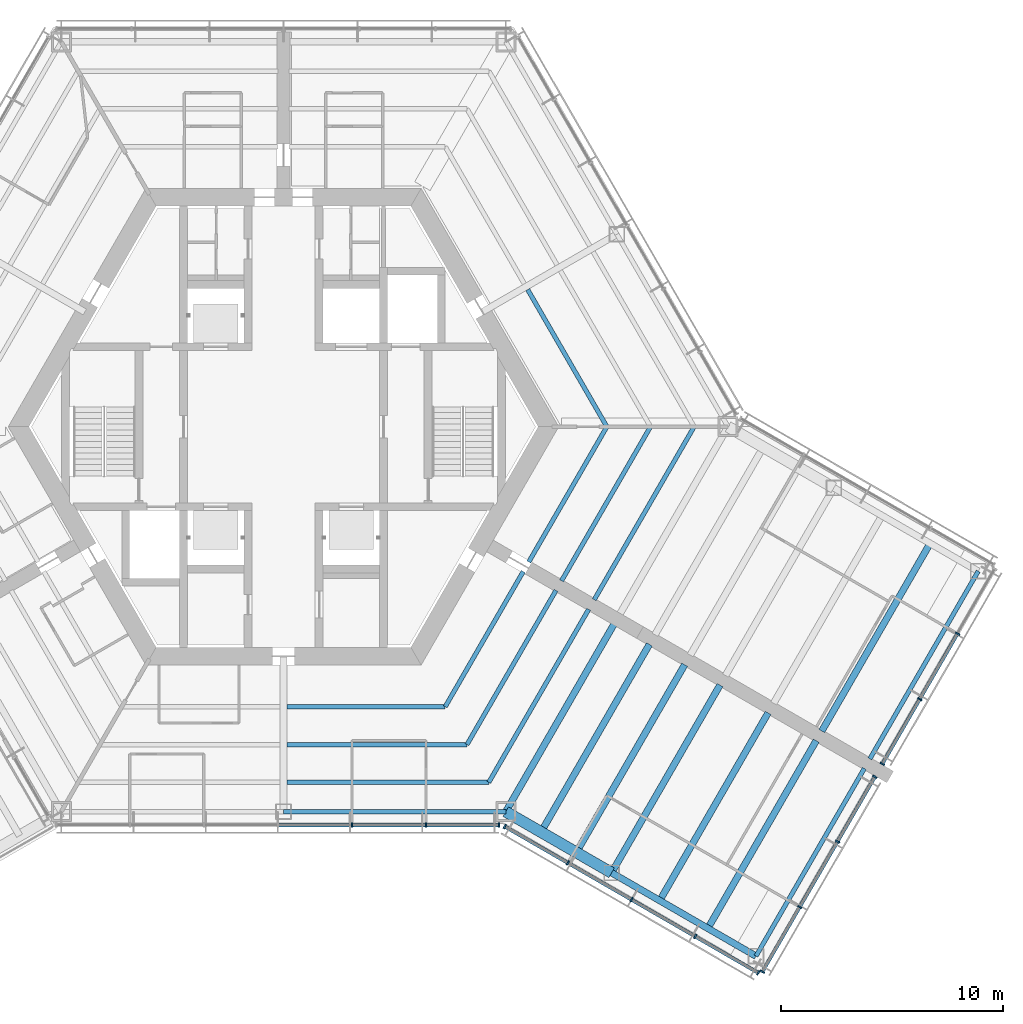
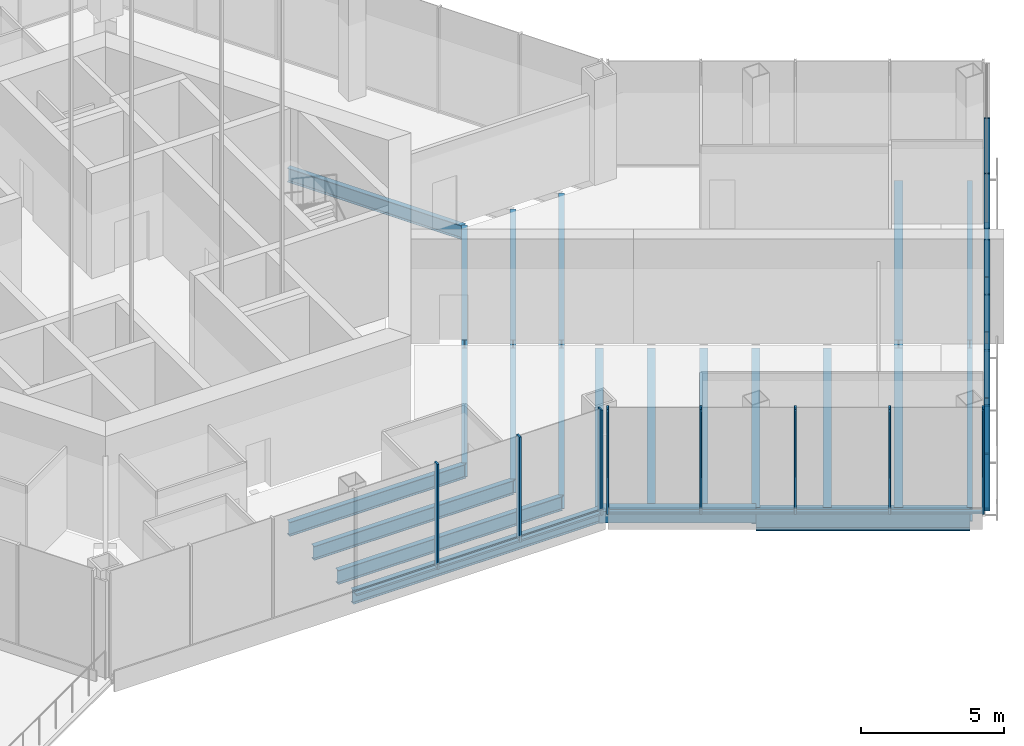
# One storey, part 3 of 17: 27 members, 22 beams, 4 elements without a shape of their own.
"""IFC4 building model written with IfcOpenShell, lengths in metres."""

from ifc_helpers import new_model, si_unit, direction, frame, origin, origin_2d, place, context, subcontext, project, spatial, rectangle, hollow_rectangle, i_section, extrude, material, material_profile, profile_set, type_object, element, aggregate, save


model = new_model("IFC4")

# Units and contexts
model_context = context("Model", 3, precision=1e-05, world=origin(), true_north=direction((0.0, 1.0)))
body_context = subcontext(model_context, "Body", "Model", "MODEL_VIEW")
ifc_project = project(units=[si_unit("LENGTHUNIT", "METRE"), si_unit("AREAUNIT", "SQUARE_METRE"), si_unit("VOLUMEUNIT", "CUBIC_METRE"), si_unit("PLANEANGLEUNIT", "RADIAN"), si_unit("MASSUNIT", "GRAM", prefix="KILO")], contexts=[model_context])

# Site, building, storey
site_placement = place(None, origin())
site = spatial("IfcSite", under=ifc_project, at=site_placement, CompositionType="ELEMENT")
building_placement = place(site_placement, origin())
building = spatial("IfcBuilding", under=site, at=building_placement, Name="Kasaneha Research Tower", CompositionType="ELEMENT")
storey_placement = place(building_placement, frame((0.0, 0.0, 208.300048828125)))
storey = spatial("IfcBuildingStorey", under=building, at=storey_placement, Name="L52", CompositionType="ELEMENT", Elevation=208.300048828125)

# Beams
ifc_material_1 = material(Name="Steel SN490B", Category="steel")
ifc_material_profile_1 = material_profile(ifc_material_1, i_section(OverallWidth=0.199951171875, OverallDepth=0.60009765625, WebThickness=0.010986328125, FlangeThickness=0.01708984375, FilletRadius=0.012939453125, at=origin_2d()), Name="H-600x200x11x17")
ifc_profile_set_1 = profile_set([ifc_material_profile_1], Name="Steel SN490B")
beam_type_1 = type_object("IfcBeamType", Name="B1-4 secondary beam H-600x200x11x17", PredefinedType="JOIST", material=ifc_profile_set_1)
for number, where, z_axis, x_axis, name in (
    (1, (14.54931640625, 0.0, -0.5), (-0.500016104636, 0.866016105569, 0.0), (-0.866016105569, -0.500016104636, 0.0), "Secondary beam RS030L1 L52"),
    (2, (7.274658203125, -12.60009765625, -0.5), (-1.0, 0.0, 0.0), (0.0, -1.0, 0.0), "Secondary beam RS270R1 L52"),
):
    element("IfcBeam", number, at=place(storey_placement, frame(where, z_axis=z_axis, x_axis=x_axis)), inside=storey, type_object=beam_type_1, Name=name, PredefinedType="JOIST", context=body_context, shape_type="SweptSolid", body=[
        extrude(i_section(OverallWidth=0.199951171875, OverallDepth=0.60009765625, WebThickness=0.010986328125, FlangeThickness=0.01708984375, FilletRadius=0.012939453125, at=origin_2d()), origin(), (0.0, 0.0, 1.0), 7.124755859375),
    ])
beam_1_placement = place(storey_placement, frame((8.256103515625, -14.300048828125, -0.5), z_axis=(-1.0, 0.0, 0.0), x_axis=(0.0, -1.0, 0.0)))
element("IfcBeam", 3, at=beam_1_placement, inside=storey, type_object=beam_type_1, Name="Secondary beam RS270R2 L52", PredefinedType="JOIST", context=body_context, shape_type="SweptSolid", body=[
    extrude(i_section(OverallWidth=0.199951171875, OverallDepth=0.60009765625, WebThickness=0.010986328125, FlangeThickness=0.01708984375, FilletRadius=0.012939453125, at=origin_2d()), origin(), (0.0, 0.0, 1.0), 8.106201171875),
])
beam_2_placement = place(storey_placement, frame((9.237548828125, -16.0, -0.5), z_axis=(-1.0, 0.0, 0.0), x_axis=(0.0, -1.0, 0.0)))
element("IfcBeam", 4, at=beam_2_placement, inside=storey, type_object=beam_type_1, Name="Secondary beam RS270R3 L52", PredefinedType="JOIST", context=body_context, shape_type="SweptSolid", body=[
    extrude(i_section(OverallWidth=0.199951171875, OverallDepth=0.60009765625, WebThickness=0.010986328125, FlangeThickness=0.01708984375, FilletRadius=0.012939453125, at=origin_2d()), origin(), (0.0, 0.0, 1.0), 9.087646484375),
])
beam_3_placement = place(storey_placement, frame((7.274658203125, -12.60009765625, -0.5), z_axis=(0.499989208252, 0.866031634313, 0.0), x_axis=(-0.866031634313, 0.499989208252, 0.0)))
element("IfcBeam", 5, at=beam_3_placement, inside=storey, type_object=beam_type_1, Name="Secondary beam RS330L1 L52", PredefinedType="JOIST", context=body_context, shape_type="SweptSolid", body=[
    extrude(i_section(OverallWidth=0.199951171875, OverallDepth=0.60009765625, WebThickness=0.010986328125, FlangeThickness=0.01708984375, FilletRadius=0.012939453125, at=origin_2d()), origin(), (0.0, 0.0, 1.0), 7.024658203125),
])
beam_4_placement = place(storey_placement, frame((8.256103515625, -14.300048828125, -0.5), z_axis=(0.500005771424, 0.866022071626, 0.0), x_axis=(-0.866022071626, 0.500005771424, 0.0)))
element("IfcBeam", 6, at=beam_4_placement, inside=storey, type_object=beam_type_1, Name="Secondary beam RS330L2 L52", PredefinedType="JOIST", context=body_context, shape_type="SweptSolid", body=[
    extrude(i_section(OverallWidth=0.199951171875, OverallDepth=0.60009765625, WebThickness=0.010986328125, FlangeThickness=0.01708984375, FilletRadius=0.012939453125, at=origin_2d()), origin(), (0.0, 0.0, 1.0), 8.00634765625),
])
beam_5_placement = place(storey_placement, frame((9.237548828125, -16.0, -0.5), z_axis=(0.500010106406, 0.866019568769, 0.0), x_axis=(-0.866019568769, 0.500010106406, 0.0)))
element("IfcBeam", 7, at=beam_5_placement, inside=storey, type_object=beam_type_1, Name="Secondary beam RS330L3 L52", PredefinedType="JOIST", context=body_context, shape_type="SweptSolid", body=[
    extrude(i_section(OverallWidth=0.199951171875, OverallDepth=0.60009765625, WebThickness=0.010986328125, FlangeThickness=0.01708984375, FilletRadius=0.012939453125, at=origin_2d()), origin(), (0.0, 0.0, 1.0), 8.987548828125),
])
beam_6_placement = place(storey_placement, frame((14.54931640625, 0.0, -0.5), z_axis=(-0.500015274395, -0.866016584929, 0.0), x_axis=(0.866016584929, -0.500015274395, 0.0)))
element("IfcBeam", 8, at=beam_6_placement, inside=storey, type_object=beam_type_1, Name="Secondary beam RS330R1 L52", PredefinedType="JOIST", context=body_context, shape_type="SweptSolid", body=[
    extrude(i_section(OverallWidth=0.199951171875, OverallDepth=0.60009765625, WebThickness=0.010986328125, FlangeThickness=0.01708984375, FilletRadius=0.012939453125, at=origin_2d()), origin(), (0.0, 0.0, 1.0), 7.024658203125),
])
beam_7_placement = place(storey_placement, frame((16.51220703125, 0.0, -0.5), z_axis=(-0.499982900776, -0.866035275801, 0.0), x_axis=(0.866035275801, -0.499982900776, 0.0)))
element("IfcBeam", 9, at=beam_7_placement, inside=storey, type_object=beam_type_1, Name="Secondary beam RS330R2 L52", PredefinedType="JOIST", context=body_context, shape_type="SweptSolid", body=[
    extrude(i_section(OverallWidth=0.199951171875, OverallDepth=0.60009765625, WebThickness=0.010986328125, FlangeThickness=0.01708984375, FilletRadius=0.012939453125, at=origin_2d()), origin(), (0.0, 0.0, 1.0), 8.006103515625),
])
beam_8_placement = place(storey_placement, frame((18.47509765625, 0.0, -0.5), z_axis=(-0.49998973317, -0.866031331261, 0.0), x_axis=(0.866031331261, -0.49998973317, 0.0)))
element("IfcBeam", 10, at=beam_8_placement, inside=storey, type_object=beam_type_1, Name="Secondary beam RS330R3 L52", PredefinedType="JOIST", context=body_context, shape_type="SweptSolid", body=[
    extrude(i_section(OverallWidth=0.199951171875, OverallDepth=0.60009765625, WebThickness=0.010986328125, FlangeThickness=0.01708984375, FilletRadius=0.012939453125, at=origin_2d()), origin(), (0.0, 0.0, 1.0), 8.987548828125),
])
ifc_material_2 = material(Name="Steel SN490B", Category="steel")
ifc_material_profile_2 = material_profile(ifc_material_2, i_section(OverallWidth=0.300048828125, OverallDepth=0.58203125, WebThickness=0.011962890625, FlangeThickness=0.01708984375, FilletRadius=0.012939453125, at=origin_2d()), Name="H-582x300x12x17")
ifc_profile_set_2 = profile_set([ifc_material_profile_2], Name="Steel SN490B")
beam_type_2 = type_object("IfcBeamType", Name="B2-4 secondary beam H-582x300x12x17", PredefinedType="JOIST", material=ifc_profile_set_2)
for number, where, z_axis, x_axis, name in (
    (11, (11.587646484375, -18.237060546875, -0.490966796875), (0.500006402939, 0.866021707014, 0.0), (-0.866021707014, 0.500006402939, 0.0), "Secondary beam WBCP1 L52"),
    (12, (13.175537109375, -19.15380859375, -0.490966796875), (0.500006402939, 0.866021707014, 0.0), (-0.866021707014, 0.500006402939, 0.0), "Secondary beam WBCP2 L52"),
):
    element("IfcBeam", number, at=place(storey_placement, frame(where, z_axis=z_axis, x_axis=x_axis)), inside=storey, type_object=beam_type_2, Name=name, PredefinedType="JOIST", context=body_context, shape_type="SweptSolid", body=[
        extrude(i_section(OverallWidth=0.300048828125, OverallDepth=0.58203125, WebThickness=0.011962890625, FlangeThickness=0.01708984375, FilletRadius=0.012939453125, at=origin_2d()), origin(), (0.0, 0.0, 1.0), 9.749755859375),
    ])
for number, where, z_axis, x_axis, name in (
    (13, (16.92822265625, -21.320556640625, -0.490966796875), (0.499995560238, 0.866027967067, 0.0), (-0.866027967067, 0.499995560238, 0.0), "Secondary beam WBCP3 L52"),
    (14, (19.09326171875, -22.570556640625, -0.490966796875), (0.499995560238, 0.866027967067, 0.0), (-0.866027967067, 0.499995560238, 0.0), "Secondary beam WBCP4 L52"),
    (15, (29.09326171875, -5.25, -0.490966796875), (-0.499995560238, -0.866027967067, 0.0), (0.866027967067, -0.499995560238, 0.0), "Secondary beam WBCN4 L52"),
):
    element("IfcBeam", number, at=place(storey_placement, frame(where, z_axis=z_axis, x_axis=x_axis)), inside=storey, type_object=beam_type_2, Name=name, PredefinedType="JOIST", context=body_context, shape_type="SweptSolid", body=[
        extrude(i_section(OverallWidth=0.300048828125, OverallDepth=0.58203125, WebThickness=0.011962890625, FlangeThickness=0.01708984375, FilletRadius=0.012939453125, at=origin_2d()), origin(), (0.0, 0.0, 1.0), 9.75),
    ])
ifc_material_3 = material(Name="Steel SN490B", Category="steel")
ifc_material_profile_3 = material_profile(ifc_material_3, hollow_rectangle(XDim=0.5, YDim=0.5, WallThickness=0.02197265625, at=origin_2d()), Name="BOX-500x500x22")
ifc_profile_set_3 = profile_set([ifc_material_profile_3], Name="Steel SN490B")
beam_type_3 = type_object("IfcBeamType", Name="BC1-4 belt chord BOX-500x500x22", PredefinedType="BEAM", material=ifc_profile_set_3)
beam_9_placement = place(storey_placement, frame((10.0, -17.320556640625, -0.449951171875), z_axis=(0.866027397988, -0.499996545922, 0.0), x_axis=(0.499996545922, 0.866027397988, 0.0)))
element("IfcBeam", 16, at=beam_9_placement, inside=storey, type_object=beam_type_3, Name="Belt chord WSCP1 L52", PredefinedType="BEAM", context=body_context, shape_type="SweptSolid", body=[
    extrude(hollow_rectangle(XDim=0.5, YDim=0.5, WallThickness=0.02197265625, at=origin_2d()), origin(), (0.0, 0.0, 1.0), 5.5),
])

# Curtain wall, members
ifc_material_4 = material(Name="Glass and aluminium", Category="aluminium")
curtain_wall_type = type_object("IfcCurtainWallType", Name="Sky lobby curtain wall", PredefinedType="USERDEFINED", material=ifc_material_4)
curtain_wall_1_placement = place(storey_placement, origin())
curtain_wall_1 = element("IfcCurtainWall", 17, at=curtain_wall_1_placement, inside=storey, type_object=curtain_wall_type, Name="CW-S L52 run 05a", ObjectType="UNITISED CURTAIN WALL", PredefinedType="USERDEFINED")
ifc_material_5 = material(Name="Aluminium 6063-T6", Category="aluminium")
ifc_material_profile_4 = material_profile(ifc_material_5, rectangle(XDim=0.070068359375, YDim=0.219970703125, at=origin_2d()), Name="CW-S mullion 70x220")
ifc_profile_set_4 = profile_set([ifc_material_profile_4], Name="Aluminium 6063-T6")
member_type_1 = type_object("IfcMemberType", Name="CW-S mullion", PredefinedType="MULLION", material=ifc_profile_set_4)
member_1_placement = place(storey_placement, frame((3.077392578125, -17.92041015625, 0.0), z_axis=(0.0, 0.0, 1.0), x_axis=(1.0, 0.0, 0.0)))
member_1 = element("IfcMember", 18, at=member_1_placement, type_object=member_type_1, Name="CW-S mullion 5", PredefinedType="MULLION", context=body_context, shape_type="SweptSolid", body=[
    extrude(rectangle(XDim=0.070068359375, YDim=0.219970703125, at=origin_2d()), origin(), (0.0, 0.0, 1.0), 4.5),
])
member_2_placement = place(storey_placement, frame((6.408203125, -17.92041015625, 0.0), z_axis=(0.0, 0.0, 1.0), x_axis=(1.0, 0.0, 0.0)))
member_2 = element("IfcMember", 19, at=member_2_placement, type_object=member_type_1, Name="CW-S mullion 6", PredefinedType="MULLION", context=body_context, shape_type="SweptSolid", body=[
    extrude(rectangle(XDim=0.070068359375, YDim=0.219970703125, at=origin_2d()), origin(), (0.0, 0.0, 1.0), 4.5),
])
member_3_placement = place(storey_placement, frame((9.704345703125, -17.92041015625, 0.0), z_axis=(0.0, 0.0, 1.0), x_axis=(1.0, 0.0, 0.0)))
member_3 = element("IfcMember", 20, at=member_3_placement, type_object=member_type_1, Name="CW-S mullion 7", PredefinedType="MULLION", context=body_context, shape_type="SweptSolid", body=[
    extrude(rectangle(XDim=0.070068359375, YDim=0.219970703125, at=origin_2d()), origin(), (0.0, 0.0, 1.0), 4.5),
])

curtain_wall_2_placement = place(storey_placement, origin())
curtain_wall_2 = element("IfcCurtainWall", 21, at=curtain_wall_2_placement, inside=storey, type_object=curtain_wall_type, Name="CW-S L52 run 06a", ObjectType="UNITISED CURTAIN WALL", PredefinedType="USERDEFINED")
member_4_placement = place(storey_placement, frame((9.9560546875, -17.988037109375, 0.0), z_axis=(0.0, 0.0, 1.0), x_axis=(0.866025411464, -0.499999986699, 0.0)))
member_4 = element("IfcMember", 22, at=member_4_placement, type_object=member_type_1, Name="CW-S mullion 1", PredefinedType="MULLION", context=body_context, shape_type="SweptSolid", body=[
    extrude(rectangle(XDim=0.070068359375, YDim=0.219970703125, at=origin_2d()), origin(), (0.0, 0.0, 1.0), 4.5),
])
member_5_placement = place(storey_placement, frame((12.792236328125, -19.62548828125, 0.0), z_axis=(0.0, 0.0, 1.0), x_axis=(0.866025411464, -0.499999986699, 0.0)))
member_5 = element("IfcMember", 23, at=member_5_placement, type_object=member_type_1, Name="CW-S mullion 2", PredefinedType="MULLION", context=body_context, shape_type="SweptSolid", body=[
    extrude(rectangle(XDim=0.070068359375, YDim=0.219970703125, at=origin_2d()), origin(), (0.0, 0.0, 1.0), 4.5),
])
member_6_placement = place(storey_placement, frame((15.65869140625, -21.2802734375, 0.0), z_axis=(0.0, 0.0, 1.0), x_axis=(0.866025411464, -0.499999986699, 0.0)))
member_6 = element("IfcMember", 24, at=member_6_placement, type_object=member_type_1, Name="CW-S mullion 3", PredefinedType="MULLION", context=body_context, shape_type="SweptSolid", body=[
    extrude(rectangle(XDim=0.070068359375, YDim=0.219970703125, at=origin_2d()), origin(), (0.0, 0.0, 1.0), 4.5),
])
member_7_placement = place(storey_placement, frame((18.52490234375, -22.935302734375, 0.0), z_axis=(0.0, 0.0, 1.0), x_axis=(0.866025411464, -0.499999986699, 0.0)))
member_7 = element("IfcMember", 25, at=member_7_placement, type_object=member_type_1, Name="CW-S mullion 4", PredefinedType="MULLION", context=body_context, shape_type="SweptSolid", body=[
    extrude(rectangle(XDim=0.070068359375, YDim=0.219970703125, at=origin_2d()), origin(), (0.0, 0.0, 1.0), 4.5),
])
member_8_placement = place(storey_placement, frame((21.361083984375, -24.572509765625, 0.0), z_axis=(0.0, 0.0, 1.0), x_axis=(0.866025411464, -0.499999986699, 0.0)))
member_8 = element("IfcMember", 26, at=member_8_placement, type_object=member_type_1, Name="CW-S mullion 5", PredefinedType="MULLION", context=body_context, shape_type="SweptSolid", body=[
    extrude(rectangle(XDim=0.070068359375, YDim=0.219970703125, at=origin_2d()), origin(), (0.0, 0.0, 1.0), 4.5),
])

curtain_wall_3_placement = place(storey_placement, origin())
curtain_wall_3 = element("IfcCurtainWall", 27, at=curtain_wall_3_placement, inside=storey, type_object=curtain_wall_type, Name="CW-S L52 run 07a", ObjectType="UNITISED CURTAIN WALL", PredefinedType="USERDEFINED")
member_9_placement = place(storey_placement, frame((21.54541015625, -24.523193359375, 0.0), z_axis=(0.0, 0.0, 1.0), x_axis=(0.500000011442, 0.866025397178, 0.0)))
member_9 = element("IfcMember", 28, at=member_9_placement, type_object=member_type_1, Name="CW-S mullion 1", PredefinedType="MULLION", context=body_context, shape_type="SweptSolid", body=[
    extrude(rectangle(XDim=0.070068359375, YDim=0.219970703125, at=origin_2d()), origin(), (0.0, 0.0, 1.0), 4.5),
])
member_10_placement = place(storey_placement, frame((23.22802734375, -21.609130859375, 0.0), z_axis=(0.0, 0.0, 1.0), x_axis=(0.500000011442, 0.866025397178, 0.0)))
member_10 = element("IfcMember", 29, at=member_10_placement, type_object=member_type_1, Name="CW-S mullion 2", PredefinedType="MULLION", context=body_context, shape_type="SweptSolid", body=[
    extrude(rectangle(XDim=0.070068359375, YDim=0.219970703125, at=origin_2d()), origin(), (0.0, 0.0, 1.0), 4.5),
])
member_11_placement = place(storey_placement, frame((24.927978515625, -18.66455078125, 0.0), z_axis=(0.0, 0.0, 1.0), x_axis=(0.500000011442, 0.866025397178, 0.0)))
member_11 = element("IfcMember", 30, at=member_11_placement, type_object=member_type_1, Name="CW-S mullion 3", PredefinedType="MULLION", context=body_context, shape_type="SweptSolid", body=[
    extrude(rectangle(XDim=0.070068359375, YDim=0.219970703125, at=origin_2d()), origin(), (0.0, 0.0, 1.0), 4.5),
])
member_12_placement = place(storey_placement, frame((26.6103515625, -15.75048828125, 0.0), z_axis=(0.0, 0.0, 1.0), x_axis=(0.500000011442, 0.866025397178, 0.0)))
member_12 = element("IfcMember", 31, at=member_12_placement, type_object=member_type_1, Name="CW-S mullion 4", PredefinedType="MULLION", context=body_context, shape_type="SweptSolid", body=[
    extrude(rectangle(XDim=0.070068359375, YDim=0.219970703125, at=origin_2d()), origin(), (0.0, 0.0, 1.0), 4.5),
])

curtain_wall_4_placement = place(storey_placement, origin())
curtain_wall_4 = element("IfcCurtainWall", 32, at=curtain_wall_4_placement, inside=storey, type_object=curtain_wall_type, Name="CW-S L52 run 08a", ObjectType="UNITISED CURTAIN WALL", PredefinedType="USERDEFINED")
member_13_placement = place(storey_placement, frame((26.945556640625, -15.170166015625, 0.0), z_axis=(0.0, 0.0, 1.0), x_axis=(0.500000011442, 0.866025397178, 0.0)))
member_13 = element("IfcMember", 33, at=member_13_placement, type_object=member_type_1, Name="CW-S mullion 1", PredefinedType="MULLION", context=body_context, shape_type="SweptSolid", body=[
    extrude(rectangle(XDim=0.070068359375, YDim=0.219970703125, at=origin_2d()), origin(), (0.0, 0.0, 1.0), 4.5),
])
member_14_placement = place(storey_placement, frame((28.6279296875, -12.255859375, 0.0), z_axis=(0.0, 0.0, 1.0), x_axis=(0.500000011442, 0.866025397178, 0.0)))
member_14 = element("IfcMember", 34, at=member_14_placement, type_object=member_type_1, Name="CW-S mullion 2", PredefinedType="MULLION", context=body_context, shape_type="SweptSolid", body=[
    extrude(rectangle(XDim=0.070068359375, YDim=0.219970703125, at=origin_2d()), origin(), (0.0, 0.0, 1.0), 4.5),
])
member_15_placement = place(storey_placement, frame((30.327880859375, -9.3115234375, 0.0), z_axis=(0.0, 0.0, 1.0), x_axis=(0.500000011442, 0.866025397178, 0.0)))
member_15 = element("IfcMember", 35, at=member_15_placement, type_object=member_type_1, Name="CW-S mullion 3", PredefinedType="MULLION", context=body_context, shape_type="SweptSolid", body=[
    extrude(rectangle(XDim=0.070068359375, YDim=0.219970703125, at=origin_2d()), origin(), (0.0, 0.0, 1.0), 4.5),
])

# Member
ifc_material_6 = material(Name="Aluminium 6063-T6", Category="aluminium")
ifc_material_profile_5 = material_profile(ifc_material_6, rectangle(XDim=0.159912109375, YDim=0.070068359375, at=origin_2d()), Name="CW-S transom 160x70")
ifc_profile_set_5 = profile_set([ifc_material_profile_5], Name="Aluminium 6063-T6")
member_type_2 = type_object("IfcMemberType", Name="CW-S transom", PredefinedType="USERDEFINED", material=ifc_profile_set_5)
member_16_placement = place(storey_placement, frame((-0.218505859375, -17.92041015625, 0.034912109375), z_axis=(1.0, 0.0, 0.0), x_axis=(0.0, 1.0, 0.0)))
member_16 = element("IfcMember", 36, at=member_16_placement, type_object=member_type_2, Name="CW-S transom 4", ObjectType="TRANSOM", PredefinedType="USERDEFINED", context=body_context, shape_type="SweptSolid", body=[
    extrude(rectangle(XDim=0.159912109375, YDim=0.070068359375, at=origin_2d()), origin(), (0.0, 0.0, 1.0), 3.2607421875),
])

member_17_placement = place(storey_placement, frame((3.1123046875, -17.92041015625, 0.034912109375), z_axis=(1.0, 0.0, 0.0), x_axis=(0.0, 1.0, 0.0)))
member_17 = element("IfcMember", 37, at=member_17_placement, type_object=member_type_2, Name="CW-S transom 5", ObjectType="TRANSOM", PredefinedType="USERDEFINED", context=body_context, shape_type="SweptSolid", body=[
    extrude(rectangle(XDim=0.159912109375, YDim=0.070068359375, at=origin_2d()), origin(), (0.0, 0.0, 1.0), 3.260986328125),
])

member_18_placement = place(storey_placement, frame((6.443359375, -17.92041015625, 0.034912109375), z_axis=(1.0, 0.0, 0.0), x_axis=(0.0, 1.0, 0.0)))
member_18 = element("IfcMember", 38, at=member_18_placement, type_object=member_type_2, Name="CW-S transom 6", ObjectType="TRANSOM", PredefinedType="USERDEFINED", context=body_context, shape_type="SweptSolid", body=[
    extrude(rectangle(XDim=0.159912109375, YDim=0.070068359375, at=origin_2d()), origin(), (0.0, 0.0, 1.0), 3.225830078125),
])

aggregate(curtain_wall_1, [member_1, member_2, member_3, member_16, member_17, member_18])

member_19_placement = place(storey_placement, frame((9.986572265625, -18.005615234375, 0.034912109375), z_axis=(0.866035889079, -0.499981838497, 0.0), x_axis=(0.499981838497, 0.866035889079, 0.0)))
member_19 = element("IfcMember", 39, at=member_19_placement, type_object=member_type_2, Name="CW-S transom 1", ObjectType="TRANSOM", PredefinedType="USERDEFINED", context=body_context, shape_type="SweptSolid", body=[
    extrude(rectangle(XDim=0.159912109375, YDim=0.070068359375, at=origin_2d()), origin(), (0.0, 0.0, 1.0), 3.20458984375),
])

member_20_placement = place(storey_placement, frame((12.822509765625, -19.642822265625, 0.034912109375), z_axis=(0.866022443901, -0.500005126634, 0.0), x_axis=(0.500005126634, 0.866022443901, 0.0)))
member_20 = element("IfcMember", 40, at=member_20_placement, type_object=member_type_2, Name="CW-S transom 2", ObjectType="TRANSOM", PredefinedType="USERDEFINED", context=body_context, shape_type="SweptSolid", body=[
    extrude(rectangle(XDim=0.159912109375, YDim=0.070068359375, at=origin_2d()), origin(), (0.0, 0.0, 1.0), 3.23974609375),
])

member_21_placement = place(storey_placement, frame((15.68896484375, -21.2978515625, 0.034912109375), z_axis=(0.866022443901, -0.500005126634, 0.0), x_axis=(0.500005126634, 0.866022443901, 0.0)))
member_21 = element("IfcMember", 41, at=member_21_placement, type_object=member_type_2, Name="CW-S transom 3", ObjectType="TRANSOM", PredefinedType="USERDEFINED", context=body_context, shape_type="SweptSolid", body=[
    extrude(rectangle(XDim=0.159912109375, YDim=0.070068359375, at=origin_2d()), origin(), (0.0, 0.0, 1.0), 3.23974609375),
])

member_22_placement = place(storey_placement, frame((18.55517578125, -22.95263671875, 0.034912109375), z_axis=(0.866021947353, -0.500005986668, 0.0), x_axis=(0.500005986668, 0.866021947353, 0.0)))
member_22 = element("IfcMember", 42, at=member_22_placement, type_object=member_type_2, Name="CW-S transom 4", ObjectType="TRANSOM", PredefinedType="USERDEFINED", context=body_context, shape_type="SweptSolid", body=[
    extrude(rectangle(XDim=0.159912109375, YDim=0.070068359375, at=origin_2d()), origin(), (0.0, 0.0, 1.0), 3.205078125),
])

aggregate(curtain_wall_2, [member_4, member_5, member_6, member_7, member_8, member_19, member_20, member_21, member_22])

member_23_placement = place(storey_placement, frame((21.56298828125, -24.492919921875, 0.034912109375), z_axis=(0.499996112969, 0.866027647951, 0.0), x_axis=(-0.866027647951, 0.499996112969, 0.0)))
member_23 = element("IfcMember", 43, at=member_23_placement, type_object=member_type_2, Name="CW-S transom 1", ObjectType="TRANSOM", PredefinedType="USERDEFINED", context=body_context, shape_type="SweptSolid", body=[
    extrude(rectangle(XDim=0.159912109375, YDim=0.070068359375, at=origin_2d()), origin(), (0.0, 0.0, 1.0), 3.294921875),
])

member_24_placement = place(storey_placement, frame((23.245361328125, -21.57861328125, 0.034912109375), z_axis=(0.500018619731, 0.866014653411, 0.0), x_axis=(-0.866014653411, 0.500018619731, 0.0)))
member_24 = element("IfcMember", 44, at=member_24_placement, type_object=member_type_2, Name="CW-S transom 2", ObjectType="TRANSOM", PredefinedType="USERDEFINED", context=body_context, shape_type="SweptSolid", body=[
    extrude(rectangle(XDim=0.159912109375, YDim=0.070068359375, at=origin_2d()), origin(), (0.0, 0.0, 1.0), 3.329833984375),
])

member_25_placement = place(storey_placement, frame((24.945556640625, -18.63427734375, 0.034912109375), z_axis=(0.499996112969, 0.866027647951, 0.0), x_axis=(-0.866027647951, 0.499996112969, 0.0)))
member_25 = element("IfcMember", 45, at=member_25_placement, type_object=member_type_2, Name="CW-S transom 3", ObjectType="TRANSOM", PredefinedType="USERDEFINED", context=body_context, shape_type="SweptSolid", body=[
    extrude(rectangle(XDim=0.159912109375, YDim=0.070068359375, at=origin_2d()), origin(), (0.0, 0.0, 1.0), 3.294921875),
])

aggregate(curtain_wall_3, [member_9, member_10, member_11, member_12, member_23, member_24, member_25])

member_26_placement = place(storey_placement, frame((26.962890625, -15.139892578125, 0.034912109375), z_axis=(0.499996112969, 0.866027647951, 0.0), x_axis=(-0.866027647951, 0.499996112969, 0.0)))
member_26 = element("IfcMember", 46, at=member_26_placement, type_object=member_type_2, Name="CW-S transom 1", ObjectType="TRANSOM", PredefinedType="USERDEFINED", context=body_context, shape_type="SweptSolid", body=[
    extrude(rectangle(XDim=0.159912109375, YDim=0.070068359375, at=origin_2d()), origin(), (0.0, 0.0, 1.0), 3.294921875),
])

member_27_placement = place(storey_placement, frame((28.6455078125, -12.2255859375, 0.034912109375), z_axis=(0.500018619731, 0.866014653411, 0.0), x_axis=(-0.866014653411, 0.500018619731, 0.0)))
member_27 = element("IfcMember", 47, at=member_27_placement, type_object=member_type_2, Name="CW-S transom 2", ObjectType="TRANSOM", PredefinedType="USERDEFINED", context=body_context, shape_type="SweptSolid", body=[
    extrude(rectangle(XDim=0.159912109375, YDim=0.070068359375, at=origin_2d()), origin(), (0.0, 0.0, 1.0), 3.329833984375),
])

aggregate(curtain_wall_4, [member_13, member_14, member_15, member_26, member_27])

# Beams
ifc_material_7 = material(Name="Steel SN490B", Category="steel")
ifc_material_profile_6 = material_profile(ifc_material_7, i_section(OverallWidth=0.300048828125, OverallDepth=0.69189453125, WebThickness=0.012939453125, FlangeThickness=0.02001953125, FilletRadius=0.01806640625, at=origin_2d()), Name="H-692x300x13x20")
ifc_profile_set_6 = profile_set([ifc_material_profile_6], Name="Steel SN490B")
beam_type_4 = type_object("IfcBeamType", Name="G3-4 plate edge girder H-692x300x13x20", PredefinedType="BEAM", material=ifc_profile_set_6)
beam_10_placement = place(storey_placement, frame((10.0, -17.320556640625, -0.546142578125), z_axis=(0.499995560238, 0.866027967067, 0.0), x_axis=(-0.866027967067, 0.499995560238, 0.0)))
element("IfcBeam", 48, at=beam_10_placement, inside=storey, type_object=beam_type_4, Name="Plate edge girder PECP L52", PredefinedType="BEAM", context=body_context, shape_type="SweptSolid", body=[
    extrude(i_section(OverallWidth=0.300048828125, OverallDepth=0.69189453125, WebThickness=0.012939453125, FlangeThickness=0.02001953125, FilletRadius=0.01806640625, at=origin_2d()), origin(), (0.0, 0.0, 1.0), 9.75),
])
ifc_material_8 = material(Name="Steel SN490B", Category="steel")
ifc_material_profile_7 = material_profile(ifc_material_8, i_section(OverallWidth=0.300048828125, OverallDepth=0.699951171875, WebThickness=0.012939453125, FlangeThickness=0.02392578125, FilletRadius=0.01806640625, at=origin_2d()), Name="H-700x300x13x24")
ifc_profile_set_7 = profile_set([ifc_material_profile_7], Name="Steel SN490B")
beam_type_5 = type_object("IfcBeamType", Name="G4-4 wing girder H-700x300x13x24", PredefinedType="BEAM", material=ifc_profile_set_7)
beam_11_placement = place(storey_placement, frame((14.76318359375, -20.070556640625, -0.550048828125), z_axis=(0.499995560238, 0.866027967067, 0.0), x_axis=(-0.866027967067, 0.499995560238, 0.0)))
element("IfcBeam", 49, at=beam_11_placement, inside=storey, type_object=beam_type_5, Name="Wing girder WGCP L52", PredefinedType="BEAM", context=body_context, shape_type="SweptSolid", body=[
    extrude(i_section(OverallWidth=0.300048828125, OverallDepth=0.699951171875, WebThickness=0.012939453125, FlangeThickness=0.02392578125, FilletRadius=0.01806640625, at=origin_2d()), origin(), (0.0, 0.0, 1.0), 9.75),
])
ifc_material_9 = material(Name="Steel SN490B", Category="steel")
ifc_material_profile_8 = material_profile(ifc_material_9, i_section(OverallWidth=0.198974609375, OverallDepth=0.595947265625, WebThickness=0.010009765625, FlangeThickness=0.014892578125, FilletRadius=0.012939453125, at=origin_2d()), Name="H-596x199x10x15")
ifc_profile_set_8 = profile_set([ifc_material_profile_8], Name="Steel SN490B")
beam_type_6 = type_object("IfcBeamType", Name="SB1-4 spandrel beam H-596x199x10x15", PredefinedType="SPANDREL", material=ifc_profile_set_8)
beam_12_placement = place(storey_placement, frame((10.0, -17.320556640625, -0.498046875), z_axis=(-1.0, 0.0, 0.0), x_axis=(0.0, -1.0, 0.0)))
element("IfcBeam", 50, at=beam_12_placement, inside=storey, type_object=beam_type_6, Name="Spandrel beam SR270R L52", PredefinedType="SPANDREL", context=body_context, shape_type="SweptSolid", body=[
    extrude(i_section(OverallWidth=0.198974609375, OverallDepth=0.595947265625, WebThickness=0.010009765625, FlangeThickness=0.014892578125, FilletRadius=0.012939453125, at=origin_2d()), origin(), (0.0, 0.0, 1.0), 10.0),
])
ifc_material_10 = material(Name="Steel SN490B", Category="steel")
ifc_material_profile_9 = material_profile(ifc_material_10, i_section(OverallWidth=0.300048828125, OverallDepth=0.89990234375, WebThickness=0.01611328125, FlangeThickness=0.028076171875, FilletRadius=0.01806640625, at=origin_2d()), Name="H-900x300x16x28")
ifc_profile_set_9 = profile_set([ifc_material_profile_9], Name="Steel SN490B")
beam_type_7 = type_object("IfcBeamType", Name="SB2-4 spandrel beam H-900x300x16x28", PredefinedType="SPANDREL", material=ifc_profile_set_9)
beam_13_placement = place(storey_placement, frame((14.76318359375, -20.070556640625, -0.650146484375), z_axis=(0.866022959057, -0.500004234368, 0.0), x_axis=(0.500004234368, 0.866022959057, 0.0)))
element("IfcBeam", 51, at=beam_13_placement, inside=storey, type_object=beam_type_7, Name="Spandrel beam WSCP2 L52", PredefinedType="SPANDREL", context=body_context, shape_type="SweptSolid", body=[
    extrude(i_section(OverallWidth=0.300048828125, OverallDepth=0.89990234375, WebThickness=0.01611328125, FlangeThickness=0.028076171875, FilletRadius=0.01806640625, at=origin_2d()), origin(), (0.0, 0.0, 1.0), 7.5),
])
ifc_material_11 = material(Name="Steel SN490B", Category="steel")
ifc_material_profile_10 = material_profile(ifc_material_11, i_section(OverallWidth=0.199951171875, OverallDepth=0.60009765625, WebThickness=0.010986328125, FlangeThickness=0.01708984375, FilletRadius=0.012939453125, at=origin_2d()), Name="H-600x200x11x17")
ifc_profile_set_10 = profile_set([ifc_material_profile_10], Name="Steel SN490B")
beam_type_8 = type_object("IfcBeamType", Name="SB3-4 spandrel beam H-600x200x11x17", PredefinedType="SPANDREL", material=ifc_profile_set_10)
for number, where, z_axis, x_axis, name in (
    (52, (21.25830078125, -23.820556640625, -0.5), (0.499995560238, 0.866027967067, 0.0), (-0.866027967067, 0.499995560238, 0.0), "Spandrel beam WTCP L52"),
    (53, (31.25830078125, -6.5, -0.5), (-0.499995560238, -0.866027967067, 0.0), (0.866027967067, -0.499995560238, 0.0), "Spandrel beam WTCN L52"),
):
    element("IfcBeam", number, at=place(storey_placement, frame(where, z_axis=z_axis, x_axis=x_axis)), inside=storey, type_object=beam_type_8, Name=name, PredefinedType="SPANDREL", context=body_context, shape_type="SweptSolid", body=[
        extrude(i_section(OverallWidth=0.199951171875, OverallDepth=0.60009765625, WebThickness=0.010986328125, FlangeThickness=0.01708984375, FilletRadius=0.012939453125, at=origin_2d()), origin(), (0.0, 0.0, 1.0), 9.75),
    ])

save(model, "model.ifc")
